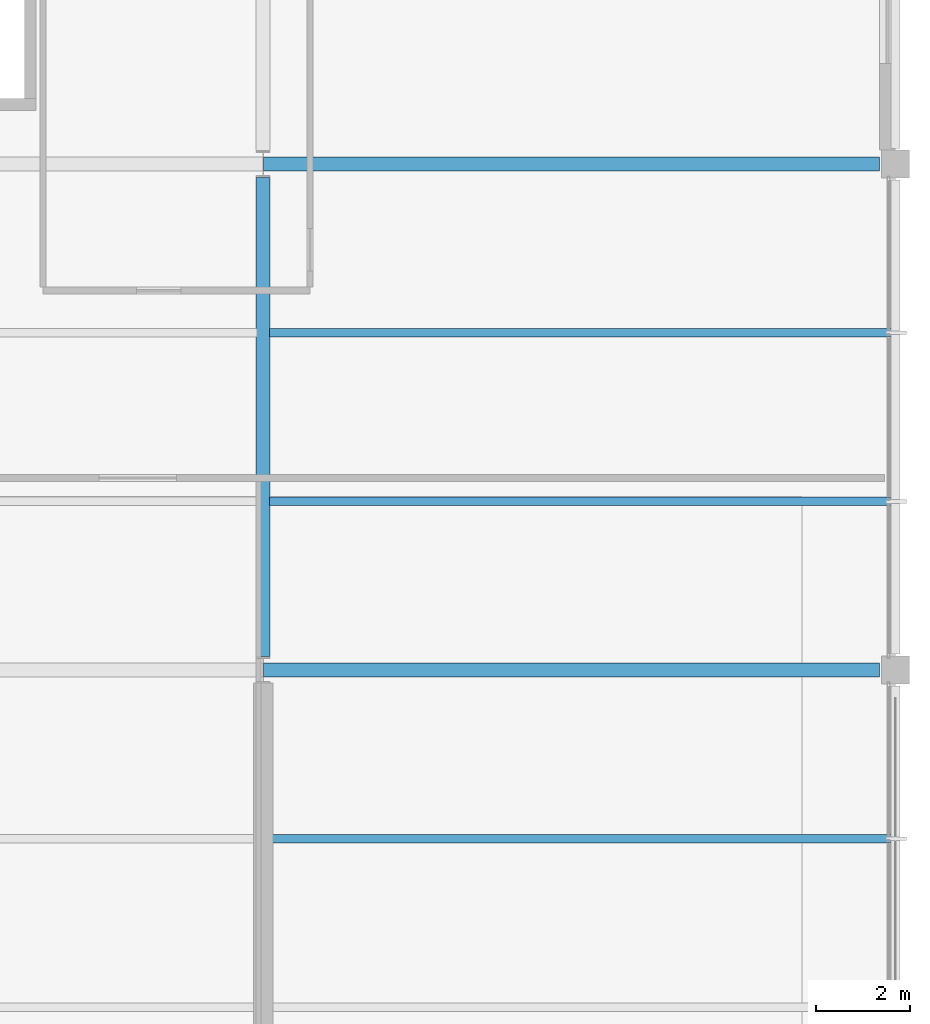
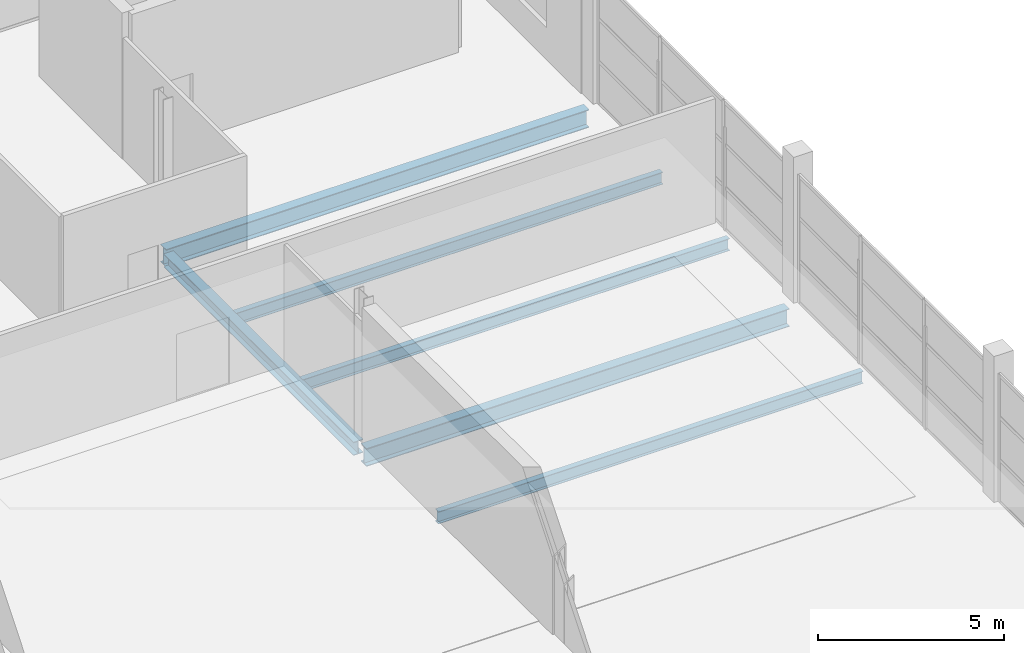
# One storey, part 106 of 134: 6 beams.
"""IFC4 building model written with IfcOpenShell, lengths in metres."""

from ifc_helpers import new_model, si_unit, direction, frame, origin, origin_2d, place, context, subcontext, project, spatial, i_section, extrude, material, material_profile, profile_set, type_object, element, save


model = new_model("IFC4")

# Units and contexts
model_context = context("Model", 3, precision=1e-05, world=origin(), true_north=direction((0.0, 1.0)))
body_context = subcontext(model_context, "Body", "Model", "MODEL_VIEW")
ifc_project = project(units=[si_unit("LENGTHUNIT", "METRE"), si_unit("AREAUNIT", "SQUARE_METRE"), si_unit("VOLUMEUNIT", "CUBIC_METRE"), si_unit("PLANEANGLEUNIT", "RADIAN"), si_unit("MASSUNIT", "GRAM", prefix="KILO")], contexts=[model_context])

# Site, building, storey
site_placement = place(None, origin())
site = spatial("IfcSite", under=ifc_project, at=site_placement, CompositionType="ELEMENT")
building_placement = place(site_placement, origin())
building = spatial("IfcBuilding", under=site, at=building_placement, Name="Tamarisk Ironworks Central Station", CompositionType="ELEMENT")
storey_placement = place(building_placement, frame((0.0, 0.0, 12.60009765625)))
storey = spatial("IfcBuildingStorey", under=building, at=storey_placement, Name="L02", CompositionType="ELEMENT", Elevation=12.60009765625)

# Beams
ifc_material = material(Name="Structural steel S355J2", Category="steel")
ifc_material_profile_1 = material_profile(ifc_material, i_section(OverallWidth=0.179931640625, OverallDepth=0.39990234375, WebThickness=0.008544921875, FlangeThickness=0.013427734375, at=origin_2d()), Name="IPE 400")
ifc_profile_set_1 = profile_set([ifc_material_profile_1], Name="Structural steel S355J2")
beam_type_1 = type_object("IfcBeamType", Name="BM-B04", PredefinedType="BEAM", material=ifc_profile_set_1)
beam_1_placement = place(storey_placement, frame((166.699951171875, 97.199951171875, -0.4501953125), z_axis=(1.0, 0.0, 0.0), x_axis=(0.0, 1.0, 0.0)))
element("IfcBeam", 1, at=beam_1_placement, inside=storey, type_object=beam_type_1, Name="L02 secondary composite beam 0175", PredefinedType="BEAM", context=body_context, shape_type="SweptSolid", body=[
    extrude(i_section(OverallWidth=0.179931640625, OverallDepth=0.39990234375, WebThickness=0.008544921875, FlangeThickness=0.013427734375, at=origin_2d()), origin(), (0.0, 0.0, 1.0), 13.215087890625),
])
for number, where, z_axis, x_axis, name in (
    (2, (166.635009765625, 104.39990234375, -0.4501953125), (1.0, 0.0, 0.0), (0.0, 1.0, 0.0), "L02 secondary composite beam 0176"),
    (3, (166.635009765625, 108.0, -0.4501953125), (1.0, 0.0, 0.0), (0.0, 1.0, 0.0), "L02 secondary composite beam 0177"),
):
    element("IfcBeam", number, at=place(storey_placement, frame(where, z_axis=z_axis, x_axis=x_axis)), inside=storey, type_object=beam_type_1, Name=name, PredefinedType="BEAM", context=body_context, shape_type="SweptSolid", body=[
        extrude(i_section(OverallWidth=0.179931640625, OverallDepth=0.39990234375, WebThickness=0.008544921875, FlangeThickness=0.013427734375, at=origin_2d()), origin(), (0.0, 0.0, 1.0), 13.280029296875),
    ])
ifc_material_profile_2 = material_profile(ifc_material, i_section(OverallWidth=0.300048828125, OverallDepth=0.590087890625, WebThickness=0.012939453125, FlangeThickness=0.02490234375, at=origin_2d()), Name="HEA 600")
ifc_profile_set_2 = profile_set([ifc_material_profile_2], Name="Structural steel S355J2")
beam_type_2 = type_object("IfcBeamType", Name="BM-G03", PredefinedType="BEAM", material=ifc_profile_set_2)
for number, where, z_axis, x_axis, name in (
    (4, (166.50390625, 100.800048828125, -0.545166015625), (1.0, 0.0, 0.0), (0.0, 1.0, 0.0), "L02 primary girder X-0392"),
    (5, (166.50390625, 111.60009765625, -0.545166015625), (1.0, 0.0, 0.0), (0.0, 1.0, 0.0), "L02 primary girder X-0405"),
):
    element("IfcBeam", number, at=place(storey_placement, frame(where, z_axis=z_axis, x_axis=x_axis)), inside=storey, type_object=beam_type_2, Name=name, PredefinedType="BEAM", context=body_context, shape_type="SweptSolid", body=[
        extrude(i_section(OverallWidth=0.300048828125, OverallDepth=0.590087890625, WebThickness=0.012939453125, FlangeThickness=0.02490234375, at=origin_2d()), origin(), (0.0, 0.0, 1.0), 13.158203125),
    ])
ifc_material_profile_3 = material_profile(ifc_material, i_section(OverallWidth=0.300048828125, OverallDepth=0.43994140625, WebThickness=0.011474609375, FlangeThickness=0.02099609375, at=origin_2d()), Name="HEA 450")
ifc_profile_set_3 = profile_set([ifc_material_profile_3], Name="Structural steel S355J2")
beam_type_3 = type_object("IfcBeamType", Name="BM-G06", PredefinedType="BEAM", material=ifc_profile_set_3)
beam_2_placement = place(storey_placement, frame((166.5, 101.087890625, -0.47021484375), z_axis=(0.0, 1.0, 0.0), x_axis=(-1.0, 0.0, 0.0)))
element("IfcBeam", 6, at=beam_2_placement, inside=storey, type_object=beam_type_3, Name="L02 primary girder Y-0528", PredefinedType="BEAM", context=body_context, shape_type="SweptSolid", body=[
    extrude(i_section(OverallWidth=0.300048828125, OverallDepth=0.43994140625, WebThickness=0.011474609375, FlangeThickness=0.02099609375, at=origin_2d()), origin(), (0.0, 0.0, 1.0), 10.22412109375),
])

save(model, "model.ifc")
